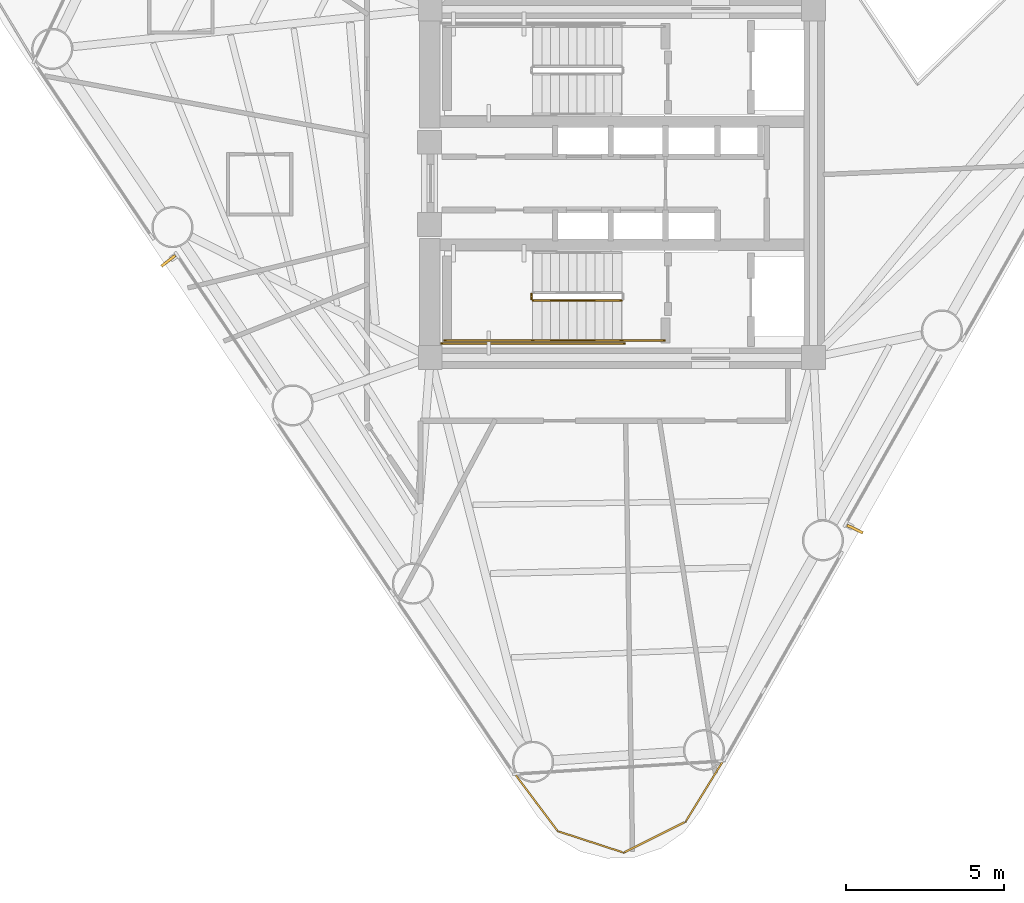
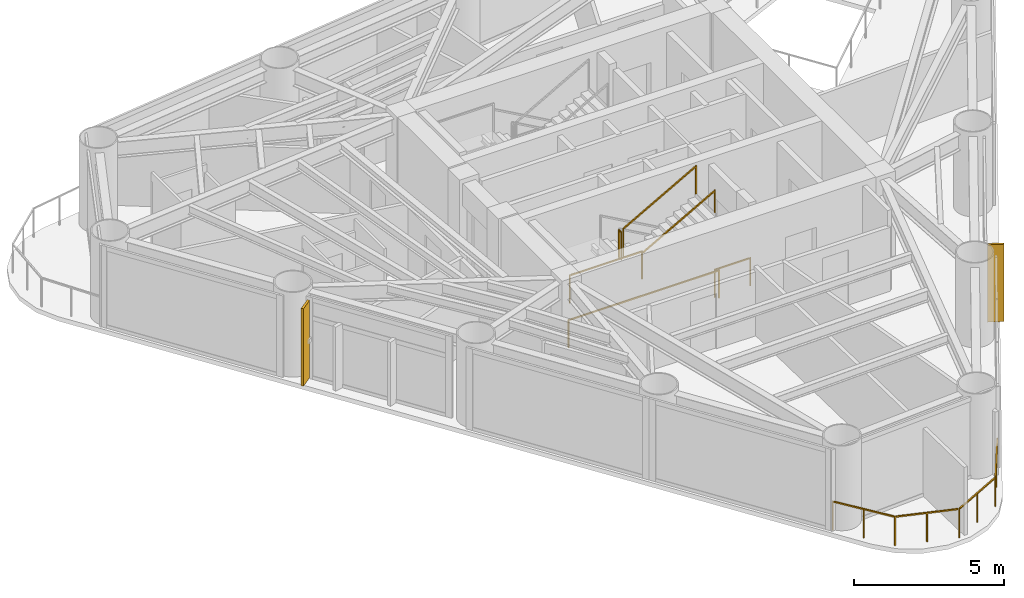
# One storey, part 7 of 9: 7 railings, 2 shading devices.
"""IFC4 building model written with IfcOpenShell, lengths in metres."""

import ifcopenshell
import ifcopenshell.guid

model = None  # the IFC model being written
_history = None  # IfcOwnerHistory: only IFC2X3 demands one
_inside = {}  # id of a spatial element -> (the spatial element, [elements in it])
_under = {}  # id of a project, library or spatial element -> (it, [spatial elements below it])
_declared = {}  # id of a project -> (the project, [libraries it declares])
_typed = {}  # id of a type object -> (the type object, [elements of that type])
_made_of = {}  # id of a material, layer set ... -> (it, [elements and type objects made of it])


def new_model(schema):
    """Start an empty IFC model of exactly this schema.

    Asked for "IFC4X3", IfcOpenShell would pick the latest addendum, in which some entities
    have other attributes; the version numbers below select the first issue.
    IFC2X3 requires an IfcOwnerHistory on every rooted entity: one is made here for all.
    """
    global model, _history
    if schema == "IFC4X3":
        model = ifcopenshell.file(schema_version=(4, 3, 0, 0))
    else:
        model = ifcopenshell.file(schema=schema)
    _inside.clear()
    _under.clear()
    _declared.clear()
    _typed.clear()
    _made_of.clear()
    _history = None
    if model.schema == "IFC2X3":
        org = make("IfcOrganization", Name="unknown")
        user = make(
            "IfcPersonAndOrganization",
            ThePerson=make("IfcPerson", FamilyName="unknown"),
            TheOrganization=org,
        )
        app = make(
            "IfcApplication",
            ApplicationDeveloper=org,
            Version="unknown",
            ApplicationFullName="unknown",
            ApplicationIdentifier="unknown",
        )
        _history = make(
            "IfcOwnerHistory",
            OwningUser=user,
            OwningApplication=app,
            ChangeAction="ADDED",
            CreationDate=0,
        )
    return model


def make(cls, **values):
    """One entity of the class cls with the attributes given. An attribute that is None is left unset."""
    return model.create_entity(
        cls, **{name: value for name, value in values.items() if value is not None}
    )


def rooted(cls, **values):
    """An entity with a GlobalId (a new one), such as an element, a storey or a relation."""
    return make(cls, GlobalId=ifcopenshell.guid.new(), OwnerHistory=_history, **values)


def si_unit(unit_type, name, prefix=None):
    """IfcSIUnit, for example si_unit("LENGTHUNIT", "METRE", prefix="MILLI")."""
    return make("IfcSIUnit", UnitType=unit_type, Prefix=prefix, Name=name)


def assignment(units):
    """IfcUnitAssignment: the units of a project."""
    return None if units is None else make("IfcUnitAssignment", Units=units)


def point(xyz):
    """IfcCartesianPoint."""
    return None if xyz is None else make("IfcCartesianPoint", Coordinates=xyz)


def direction(xyz):
    """IfcDirection."""
    return None if xyz is None else make("IfcDirection", DirectionRatios=xyz)


def frame(location, z_axis=None, x_axis=None):
    """IfcAxis2Placement3D, a coordinate frame: its origin and axes. An axis left out is left unset."""
    return make(
        "IfcAxis2Placement3D",
        Location=point(location),
        Axis=direction(z_axis),
        RefDirection=direction(x_axis),
    )


def frame_2d(location, x_axis=None):
    """IfcAxis2Placement2D, a coordinate frame in the plane: its origin and x axis."""
    return make(
        "IfcAxis2Placement2D", Location=point(location), RefDirection=direction(x_axis)
    )


def origin():
    """The frame at (0, 0, 0) with its axes left unset."""
    return frame((0.0, 0.0, 0.0))


def origin_2d():
    """The frame at (0, 0) in the plane with its x axis left unset."""
    return frame_2d((0.0, 0.0))


def place(relative_to, where):
    """IfcLocalPlacement: puts the frame where relative to a parent placement (None: the world)."""
    return make(
        "IfcLocalPlacement", PlacementRelTo=relative_to, RelativePlacement=where
    )


def context(
    kind, dimensions, precision=None, world=None, true_north=None, identifier=None
):
    """IfcGeometricRepresentationContext, for example the 3D "Model" context."""
    return make(
        "IfcGeometricRepresentationContext",
        ContextIdentifier=identifier,
        ContextType=kind,
        CoordinateSpaceDimension=dimensions,
        Precision=precision,
        WorldCoordinateSystem=world,
        TrueNorth=true_north,
    )


def subcontext(parent, identifier, kind, view, scale=None):
    """IfcGeometricRepresentationSubContext, for example "Body" below "Model"."""
    return make(
        "IfcGeometricRepresentationSubContext",
        ContextIdentifier=identifier,
        ContextType=kind,
        ParentContext=parent,
        TargetScale=scale,
        TargetView=view,
    )


def project(units=None, contexts=None):
    """IfcProject with its units and contexts."""
    return rooted(
        "IfcProject",
        Name="project",
        RepresentationContexts=contexts,
        UnitsInContext=assignment(units),
    )


def spatial(cls, under=None, at=None, **own):
    """A site, building, storey or space (cls), placed at a placement, below another one or the project."""
    s = rooted(cls, ObjectPlacement=at, **own)
    if under is not None:
        _under.setdefault(under.id(), (under, []))[1].append(s)
    return s


def profile(cls, at=None, kind="AREA", **sizes):
    """A parametric profile (cls). Its sizes go by their IFC names, for example OverallWidth=200.0."""
    return make(cls, ProfileType=kind, Position=at, **sizes)


def rectangle(**sizes):
    """IfcRectangleProfileDef."""
    return profile("IfcRectangleProfileDef", **sizes)


def extrude(swept, where, along, depth):
    """IfcExtrudedAreaSolid: the profile swept, set in the frame where, extruded along a direction by depth."""
    return make(
        "IfcExtrudedAreaSolid",
        SweptArea=swept,
        Position=where,
        ExtrudedDirection=direction(along),
        Depth=depth,
    )


def shape(context_of_items, identifier, shape_type, items):
    """IfcShapeRepresentation: the items that make up one representation, for example the "Body"."""
    return make(
        "IfcShapeRepresentation",
        ContextOfItems=context_of_items,
        RepresentationIdentifier=identifier,
        RepresentationType=shape_type,
        Items=items,
    )


def source(mapping_origin, context_of_items, identifier, shape_type, items):
    """IfcRepresentationMap: a shape defined once, which mapped items show again and again."""
    return make(
        "IfcRepresentationMap",
        MappingOrigin=mapping_origin,
        MappedRepresentation=shape(context_of_items, identifier, shape_type, items),
    )


def transform(
    local_origin,
    x_axis=None,
    y_axis=None,
    z_axis=None,
    scale=None,
    scale2=None,
    scale3=None,
    uniform=True,
):
    """IfcCartesianTransformationOperator3D, or its non-uniform kind. x_axis, y_axis, z_axis: its Axis1, 2, 3."""
    if uniform:
        return make(
            "IfcCartesianTransformationOperator3D",
            Axis1=direction(x_axis),
            Axis2=direction(y_axis),
            LocalOrigin=point(local_origin),
            Scale=scale,
            Axis3=direction(z_axis),
        )
    return make(
        "IfcCartesianTransformationOperator3DnonUniform",
        Axis1=direction(x_axis),
        Axis2=direction(y_axis),
        LocalOrigin=point(local_origin),
        Scale=scale,
        Axis3=direction(z_axis),
        Scale2=scale2,
        Scale3=scale3,
    )


def mapped(mapping_source, mapping_target):
    """IfcMappedItem: shows the shape of a source again, moved by a transform."""
    return make(
        "IfcMappedItem", MappingSource=mapping_source, MappingTarget=mapping_target
    )


def material(Name=None, Category=None):
    """IfcMaterial."""
    return make("IfcMaterial", Name=Name, Category=Category)


def material_profile(
    of_material, cross_section, Name=None, Category=None, Priority=None
):
    """IfcMaterialProfile: a cross section and its material."""
    return make(
        "IfcMaterialProfile",
        Name=Name,
        Material=of_material,
        Profile=cross_section,
        Priority=Priority,
        Category=Category,
    )


def profile_set(profiles, Name=None, composite=None):
    """IfcMaterialProfileSet."""
    return make(
        "IfcMaterialProfileSet",
        Name=Name,
        MaterialProfiles=profiles,
        CompositeProfile=composite,
    )


def made_of(thing, what):
    """Note that an element or type object is made of a material, layer set ...; save() writes the relation."""
    if what is not None:
        _made_of.setdefault(what.id(), (what, []))[1].append(thing)
    return thing


def type_object(cls, material=None, **own):
    """A type object (cls), such as IfcWallType, which elements share."""
    return made_of(rooted(cls, **own), material)


def element(
    cls,
    number,
    at=None,
    inside=None,
    cuts=None,
    type_object=None,
    material=None,
    context=None,
    identifier="Body",
    shape_type=None,
    held_by="IfcProductDefinitionShape",
    body=None,
    shapes=None,
    **own,
):
    """One element of the class cls, such as IfcWall. Its Tag is "e" and its number.

    at: its placement. inside: the storey or other place that contains it. cuts: it is an
    opening in that element (IfcRelVoidsElement). A single representation is given by context,
    identifier, shape_type and body (its items); several are given by shapes. held_by: the class
    of the entity that holds the representations. save() writes the other relations.
    """
    e = rooted(cls, Tag="e%d" % number, ObjectPlacement=at, **own)
    if body is not None:
        shapes = [shape(context, identifier, shape_type, body)]
    if shapes is not None:
        e.Representation = make(held_by, Representations=shapes)
    if inside is not None:
        _inside.setdefault(inside.id(), (inside, []))[1].append(e)
    if cuts is not None:
        rooted(
            "IfcRelVoidsElement", RelatingBuildingElement=cuts, RelatedOpeningElement=e
        )
    if type_object is not None:
        _typed.setdefault(type_object.id(), (type_object, []))[1].append(e)
    return made_of(e, material)


def aggregate(whole, parts):
    """IfcRelAggregates: a whole, such as a stair, and the parts it consists of."""
    return rooted("IfcRelAggregates", RelatingObject=whole, RelatedObjects=parts)


def save(model, path):
    """Write the relations noted so far, then the file.

    IfcRelAggregates (storeys below a building ...), IfcRelContainedInSpatialStructure (elements
    in a storey), IfcRelDefinesByType, IfcRelAssociatesMaterial and IfcRelDeclares: one each for
    every whole, place, type object, material and project.
    """
    for whole, parts in _under.values():
        aggregate(whole, parts)
    for where, things in _inside.values():
        rooted(
            "IfcRelContainedInSpatialStructure",
            RelatedElements=things,
            RelatingStructure=where,
        )
    for kind, things in _typed.values():
        rooted("IfcRelDefinesByType", RelatedObjects=things, RelatingType=kind)
    for what, things in _made_of.values():
        rooted("IfcRelAssociatesMaterial", RelatedObjects=things, RelatingMaterial=what)
    for by, libraries in _declared.values():
        rooted("IfcRelDeclares", RelatingContext=by, RelatedDefinitions=libraries)
    model.write(path)


model = new_model("IFC4")

# Units and contexts
model_context = context("Model", 3, precision=1e-05, world=origin(), true_north=direction((0.0, 1.0)))
body_context = subcontext(model_context, "Body", "Model", "MODEL_VIEW")
ifc_project = project(units=[si_unit("LENGTHUNIT", "METRE"), si_unit("AREAUNIT", "SQUARE_METRE"), si_unit("VOLUMEUNIT", "CUBIC_METRE"), si_unit("PLANEANGLEUNIT", "RADIAN"), si_unit("MASSUNIT", "GRAM", prefix="KILO")], contexts=[model_context])

# Site, building, storey
site_placement = place(None, origin())
site = spatial("IfcSite", under=ifc_project, at=site_placement, CompositionType="ELEMENT")
building_placement = place(site_placement, origin())
building = spatial("IfcBuilding", under=site, at=building_placement, Name="Yunling Apex Tower", CompositionType="ELEMENT")
storey_placement = place(building_placement, frame((0.0, 0.0, 162.199951171875)))
storey = spatial("IfcBuildingStorey", under=building, at=storey_placement, Name="L39", CompositionType="ELEMENT", Elevation=162.199951171875)

# Railings
ifc_material_1 = material(Name="Bronze anodised aluminium", Category="aluminium")
railing_type_1 = type_object("IfcRailingType", Name="RL-BAL-1200", PredefinedType="BALUSTRADE", material=ifc_material_1)
railing_1_placement = place(storey_placement, frame((3.195068359375, -18.248046875, 0.0)))
element("IfcRailing", 1, at=railing_1_placement, inside=storey, type_object=railing_type_1, Name="RL-CRNSILL-L39-3", PredefinedType="BALUSTRADE", context=body_context, shape_type="SweptSolid", body=[
    extrude(rectangle(XDim=0.0439453125, YDim=0.0439453125, at=origin_2d()), origin(), (0.0, 0.0, 1.0), 1.199951171875),
    extrude(rectangle(XDim=0.0439453125, YDim=0.0439453125, at=origin_2d()), frame((-1.182861328125, -1.91845703125, 0.0)), (0.0, 0.0, 1.0), 1.199951171875),
    extrude(rectangle(XDim=0.050048828125, YDim=0.050048828125, at=origin_2d()), frame((-0.02001953125, -0.03271484375, 1.1748046875), z_axis=(-0.524828533939, -0.851207971041, 0.0), x_axis=(0.851207971041, -0.524828533939, 0.0)), (0.0, 0.0, 1.0), 2.17724609375),
    extrude(rectangle(XDim=0.0439453125, YDim=0.0439453125, at=origin_2d()), frame((-0.59130859375, -0.959228515625, 0.0)), (0.0, 0.0, 1.0), 1.14599609375),
    extrude(rectangle(XDim=0.0439453125, YDim=0.0439453125, at=origin_2d()), frame((-3.1376953125, -2.895751953125, 0.0)), (0.0, 0.0, 1.0), 1.199951171875),
    extrude(rectangle(XDim=0.050048828125, YDim=0.050048828125, at=origin_2d()), frame((-1.217041015625, -1.935546875, 1.1748046875), z_axis=(-0.894449531573, -0.447168911563, 0.0), x_axis=(0.447168911563, -0.894449531573, 0.0)), (0.0, 0.0, 1.0), 2.10888671875),
    extrude(rectangle(XDim=0.0439453125, YDim=0.0439453125, at=origin_2d()), frame((-2.16015625, -2.4072265625, 0.0)), (0.0, 0.0, 1.0), 1.14599609375),
    extrude(rectangle(XDim=0.0439453125, YDim=0.0439453125, at=origin_2d()), frame((-5.22265625, -2.216552734375, 0.0)), (0.0, 0.0, 1.0), 1.199951171875),
    extrude(rectangle(XDim=0.050048828125, YDim=0.050048828125, at=origin_2d()), frame((-3.174072265625, -2.8837890625, 1.1748046875), z_axis=(-0.950821112954, 0.309740554595, 0.0), x_axis=(-0.309740554595, -0.950821112954, 0.0)), (0.0, 0.0, 1.0), 2.1162109375),
    extrude(rectangle(XDim=0.0439453125, YDim=0.0439453125, at=origin_2d()), frame((-4.18017578125, -2.55615234375, 0.0)), (0.0, 0.0, 1.0), 1.14599609375),
    extrude(rectangle(XDim=0.0439453125, YDim=0.0439453125, at=origin_2d()), frame((-6.572021484375, -0.412841796875, 0.0)), (0.0, 0.0, 1.0), 1.199951171875),
    extrude(rectangle(XDim=0.050048828125, YDim=0.050048828125, at=origin_2d()), frame((-5.24560546875, -2.185791015625, 1.1748046875), z_axis=(-0.599028453381, 0.800727739023, 0.0), x_axis=(-0.800727739023, -0.599028453381, 0.0)), (0.0, 0.0, 1.0), 2.176025390625),
    extrude(rectangle(XDim=0.0439453125, YDim=0.0439453125, at=origin_2d()), frame((-5.8974609375, -1.314697265625, 0.0)), (0.0, 0.0, 1.0), 1.14599609375),
])
ifc_material_2 = material(Name="Steel Q355B", Category="steel")
railing_type_2 = type_object("IfcRailingType", Name="RL-GRD-1150", PredefinedType="GUARDRAIL", material=ifc_material_2)
railing_2_placement = place(storey_placement, frame((-2.860107421875, -3.5, 1.72509765625)))
element("IfcRailing", 2, at=railing_2_placement, inside=storey, type_object=railing_type_2, Name="L39 ST-2 stair guard 2", PredefinedType="GUARDRAIL", context=body_context, shape_type="SweptSolid", body=[
    extrude(rectangle(XDim=0.0439453125, YDim=0.0439453125, at=origin_2d()), origin(), (0.0, 0.0, 1.0), 1.14990234375),
    extrude(rectangle(XDim=0.0439453125, YDim=0.0439453125, at=origin_2d()), frame((0.0, -0.14990234375, 0.0)), (0.0, 0.0, 1.0), 1.14990234375),
    extrude(rectangle(XDim=0.050048828125, YDim=0.050048828125, at=origin_2d()), frame((0.0, -0.038330078125, 1.125), z_axis=(0.0, -1.0, 0.0), x_axis=(1.0, 0.0, 0.0)), (0.0, 0.0, 1.0), 0.0732421875),
])
railing_3_placement = place(storey_placement, frame((-2.81005859375, -4.9599609375, 1.72509765625)))
element("IfcRailing", 3, at=railing_3_placement, inside=storey, type_object=railing_type_2, Name="L39 ST-2 stair guard 3", PredefinedType="GUARDRAIL", context=body_context, shape_type="SweptSolid", body=[
    extrude(rectangle(XDim=0.0439453125, YDim=0.0439453125, at=origin_2d()), origin(), (0.0, 0.0, 1.0), 1.14990234375),
    extrude(rectangle(XDim=0.0439453125, YDim=0.0439453125, at=origin_2d()), frame((-2.7900390625, 0.0, 0.0)), (0.0, 0.0, 1.0), 1.14990234375),
    extrude(rectangle(XDim=0.050048828125, YDim=0.050048828125, at=origin_2d()), frame((-0.038330078125, 0.0, 1.125), z_axis=(-1.0, 0.0, 0.0), x_axis=(0.0, -1.0, 0.0)), (0.0, 0.0, 1.0), 2.71337890625),
])
railing_4_placement = place(storey_placement, frame((-2.81005859375, -3.699951171875, 1.8818359375)))
element("IfcRailing", 4, at=railing_4_placement, inside=storey, type_object=railing_type_2, Name="L39 ST-2 stair guard 4", PredefinedType="GUARDRAIL", context=body_context, shape_type="SweptSolid", body=[
    extrude(rectangle(XDim=0.0439453125, YDim=0.0439453125, at=origin_2d()), origin(), (0.0, 0.0, 1.0), 1.14990234375),
    extrude(rectangle(XDim=0.0439453125, YDim=0.0439453125, at=origin_2d()), frame((2.800048828125, 0.0, 1.568115234375)), (0.0, 0.0, 1.0), 1.14990234375),
    extrude(rectangle(XDim=0.050048828125, YDim=0.050048828125, at=origin_2d()), frame((0.033447265625, 0.0, 1.1435546875), z_axis=(0.872494340497, 0.0, 0.48862421737), x_axis=(0.0, 1.0, 0.0)), (0.0, 0.0, 1.0), 3.132568359375),
])
railing_5_placement = place(storey_placement, frame((1.35009765625, -4.9599609375, 0.0)))
element("IfcRailing", 5, at=railing_5_placement, inside=storey, type_object=railing_type_2, Name="L39 ST-2 stair guard 6", PredefinedType="GUARDRAIL", context=body_context, shape_type="SweptSolid", body=[
    extrude(rectangle(XDim=0.0439453125, YDim=0.0439453125, at=origin_2d()), origin(), (0.0, 0.0, 1.0), 1.14990234375),
    extrude(rectangle(XDim=0.0439453125, YDim=0.0439453125, at=origin_2d()), frame((-1.360107421875, 0.0, 0.0)), (0.0, 0.0, 1.0), 1.14990234375),
    extrude(rectangle(XDim=0.050048828125, YDim=0.050048828125, at=origin_2d()), frame((-0.038330078125, 0.0, 1.125), z_axis=(-1.0, 0.0, 0.0), x_axis=(0.0, -1.0, 0.0)), (0.0, 0.0, 1.0), 1.283447265625),
])
railing_6_placement = place(storey_placement, frame((0.090087890625, -5.06005859375, 0.0)))
element("IfcRailing", 6, at=railing_6_placement, inside=storey, type_object=railing_type_2, Name="L39 ST-2 stair guard 7", PredefinedType="GUARDRAIL", context=body_context, shape_type="SweptSolid", body=[
    extrude(rectangle(XDim=0.0439453125, YDim=0.0439453125, at=origin_2d()), origin(), (0.0, 0.0, 1.0), 1.14990234375),
    extrude(rectangle(XDim=0.0439453125, YDim=0.0439453125, at=origin_2d()), frame((-5.7900390625, 0.0, 0.0)), (0.0, 0.0, 1.0), 1.14990234375),
    extrude(rectangle(XDim=0.050048828125, YDim=0.050048828125, at=origin_2d()), frame((-0.038330078125, 0.0, 1.125), z_axis=(-1.0, 0.0, 0.0), x_axis=(0.0, -1.0, 0.0)), (0.0, 0.0, 1.0), 5.71337890625),
])
ifc_material_3 = material(Name="Silver anodised aluminium", Category="aluminium")
railing_type_3 = type_object("IfcRailingType", Name="RL-HND-900", PredefinedType="HANDRAIL", material=ifc_material_3)
railing_7_placement = place(storey_placement, frame((-2.81005859375, -4.9599609375, 1.8818359375)))
element("IfcRailing", 7, at=railing_7_placement, inside=storey, type_object=railing_type_3, Name="L39 ST-2 stair handrail 2", PredefinedType="HANDRAIL", context=body_context, shape_type="SweptSolid", body=[
    extrude(rectangle(XDim=0.0439453125, YDim=0.0439453125, at=origin_2d()), origin(), (0.0, 0.0, 1.0), 0.919921875),
    extrude(rectangle(XDim=0.0439453125, YDim=0.0439453125, at=origin_2d()), frame((2.800048828125, 0.0, 1.568115234375)), (0.0, 0.0, 1.0), 0.919921875),
    extrude(rectangle(XDim=0.050048828125, YDim=0.050048828125, at=origin_2d()), frame((0.033447265625, 0.0, 0.91357421875), z_axis=(0.872494340497, 0.0, 0.48862421737), x_axis=(0.0, 1.0, 0.0)), (0.0, 0.0, 1.0), 3.132568359375),
])

# Shading devices
ifc_material_profile = material_profile(ifc_material_1, rectangle(XDim=0.0849609375, YDim=0.550048828125, at=origin_2d()))
ifc_profile_set = profile_set([ifc_material_profile], Name="Bronze anodised aluminium")
shading_device_type = type_object("IfcShadingDeviceType", Name="FN-BRZ-3", PredefinedType="USERDEFINED", material=ifc_profile_set)
shared_shape = source(origin(), body_context, "Body", "SweptSolid", [
    extrude(rectangle(XDim=0.0849609375, YDim=0.550048828125, at=origin_2d()), origin(), (0.0, 0.0, 1.0), 3.14990234375),
])
for number, where, z_axis, x_axis, name in (
    (8, (7.364501953125, -10.9208984375, 0.06005859375), (0.0, 0.0, 1.0), (0.435073957475, 0.900394719846, 0.0), "CW-L39-F1-B2-FIN-01"),
    (9, (-14.3291015625, -2.45068359375, 0.06005859375), (0.0, 0.0, 1.0), (0.612217280034, -0.790689573744, 0.0), "CW-L39-F3-B2-FIN-01"),
):
    element("IfcShadingDevice", number, at=place(storey_placement, frame(where, z_axis=z_axis, x_axis=x_axis)), inside=storey, type_object=shading_device_type, Name=name, ObjectType="FIN", PredefinedType="USERDEFINED", context=body_context, shape_type="MappedRepresentation", body=[
        mapped(shared_shape, transform((0.0, 0.0, 0.0), scale=1.0)),
    ])

save(model, "model.ifc")
